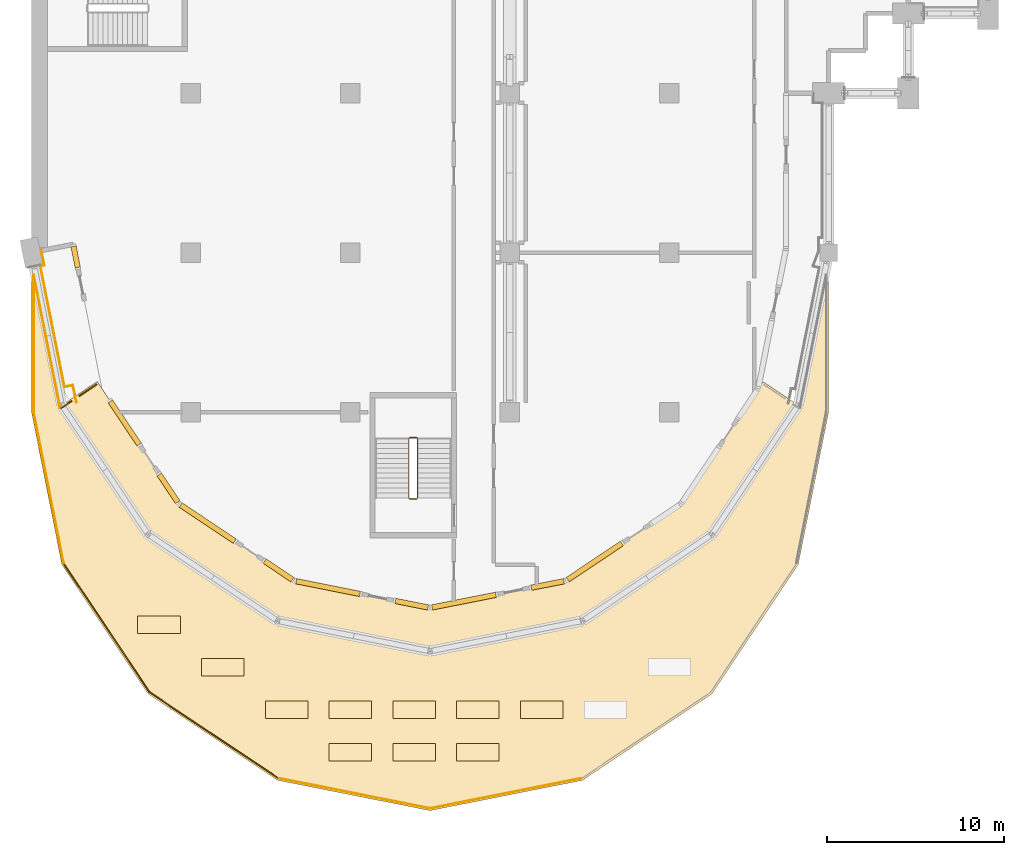
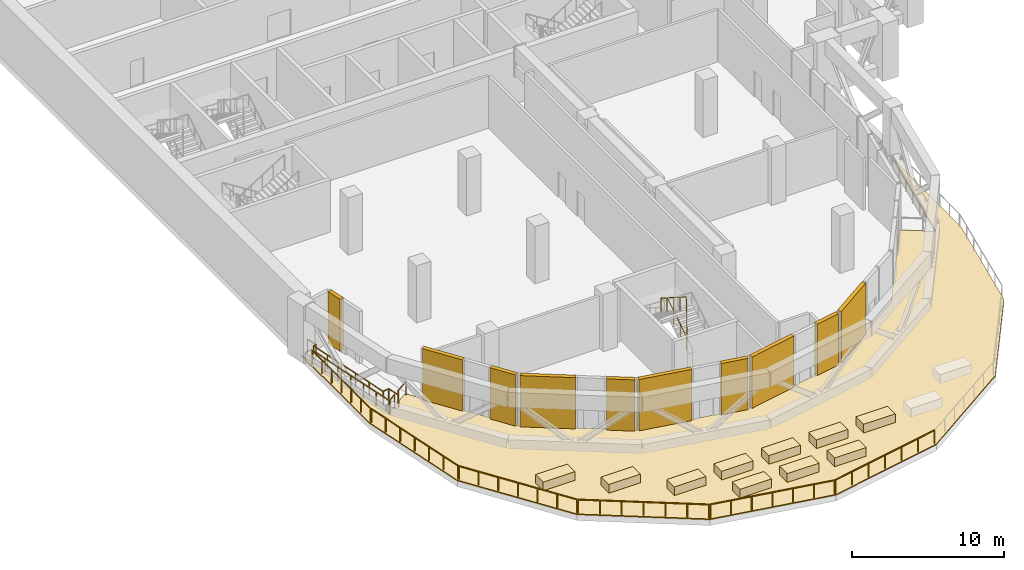
# One storey, part 13 of 16: 11 coverings, 11 railings, 10 shading devices.
"""IFC4 building model written with IfcOpenShell, lengths in metres."""

from ifc_helpers import new_model, si_unit, direction, frame, origin, origin_2d, place, context, subcontext, project, spatial, polyline, rectangle, circle, outline, extrude, material, layer, layer_set, type_object, element, save


model = new_model("IFC4")

# Units and contexts
model_context = context("Model", 3, precision=1e-05, world=origin(), true_north=direction((0.0, 1.0)))
body_context = subcontext(model_context, "Body", "Model", "MODEL_VIEW")
ifc_project = project(units=[si_unit("LENGTHUNIT", "METRE"), si_unit("AREAUNIT", "SQUARE_METRE"), si_unit("VOLUMEUNIT", "CUBIC_METRE"), si_unit("PLANEANGLEUNIT", "RADIAN"), si_unit("MASSUNIT", "GRAM", prefix="KILO")], contexts=[model_context])

# Site, building, storey
site_placement = place(None, origin())
site = spatial("IfcSite", under=ifc_project, at=site_placement, CompositionType="ELEMENT")
building_placement = place(site_placement, origin())
building = spatial("IfcBuilding", under=site, at=building_placement, Name="Hunhe Ridgeline Campus", CompositionType="ELEMENT")
storey_placement = place(building_placement, frame((0.0, 0.0, 227.199951171875)))
storey = spatial("IfcBuildingStorey", under=building, at=storey_placement, Name="L58", CompositionType="ELEMENT", Elevation=227.199951171875)

# Railings
ifc_material_1 = material(Name="Steel Q355", Category="steel")
railing_type_1 = type_object("IfcRailingType", Name="Loggia guard 1100 Steel Q355", PredefinedType="GUARDRAIL", material=ifc_material_1)
railing_1_placement = place(storey_placement, frame((0.55908203125, 45.111083984375, 0.0)))
element("IfcRailing", 1, at=railing_1_placement, inside=storey, type_object=railing_type_1, Name="Loggia guard 1", PredefinedType="GUARDRAIL", context=body_context, shape_type="SweptSolid", body=[
    extrude(circle(Radius=0.02392578125, at=origin_2d()), frame((0.0, 0.0, 1.076171875), z_axis=(0.195066328581, -0.980790052689, 0.0), x_axis=(0.980790052689, 0.195066328581, 0.0)), (0.0, 0.0, 1.0), 0.849853515625),
    extrude(circle(Radius=0.02392578125, at=origin_2d()), frame((0.165771484375, -0.83349609375, 1.076171875), z_axis=(-0.980750988442, -0.195262640233, 0.0), x_axis=(0.195262640233, -0.980750988442, 0.0)), (0.0, 0.0, 1.0), 0.219970703125),
    extrude(circle(Radius=0.02392578125, at=origin_2d()), frame((-0.050048828125, -0.87646484375, 1.076171875), z_axis=(0.1951025318, -0.980782851647, 0.0), x_axis=(0.980782851647, 0.1951025318, 0.0)), (0.0, 0.0, 1.0), 6.94873046875),
    extrude(circle(Radius=0.02392578125, at=origin_2d()), frame((1.3056640625, -7.691650390625, 1.076171875), z_axis=(0.980791706313, 0.195058014004, 0.0), x_axis=(-0.195058014004, 0.980791706313, 0.0)), (0.0, 0.0, 1.0), 0.488037109375),
    extrude(circle(Radius=0.02392578125, at=origin_2d()), frame((1.784423828125, -7.596435546875, 1.076171875), z_axis=(0.195014397483, -0.980800379677, 0.0), x_axis=(0.980800379677, 0.195014397483, 0.0)), (0.0, 0.0, 1.0), 0.980224609375),
    extrude(circle(Radius=0.02099609375, at=origin_2d()), origin(), (0.0, 0.0, 1.0), 1.052001953125),
    extrude(circle(Radius=0.02099609375, at=origin_2d()), frame((0.165771484375, -0.83349609375, 0.0)), (0.0, 0.0, 1.0), 1.052001953125),
    extrude(circle(Radius=0.02099609375, at=origin_2d()), frame((-0.050048828125, -0.87646484375, 0.0)), (0.0, 0.0, 1.0), 1.052001953125),
    extrude(circle(Radius=0.02099609375, at=origin_2d()), frame((0.22119140625, -2.239501953125, 0.0)), (0.0, 0.0, 1.0), 1.052001953125),
    extrude(circle(Radius=0.02099609375, at=origin_2d()), frame((0.4921875, -3.6025390625, 0.0)), (0.0, 0.0, 1.0), 1.052001953125),
    extrude(circle(Radius=0.02099609375, at=origin_2d()), frame((0.763427734375, -4.965576171875, 0.0)), (0.0, 0.0, 1.0), 1.052001953125),
    extrude(circle(Radius=0.02099609375, at=origin_2d()), frame((1.034423828125, -6.32861328125, 0.0)), (0.0, 0.0, 1.0), 1.052001953125),
    extrude(circle(Radius=0.02099609375, at=origin_2d()), frame((1.3056640625, -7.691650390625, 0.0)), (0.0, 0.0, 1.0), 1.052001953125),
    extrude(circle(Radius=0.02099609375, at=origin_2d()), frame((1.784423828125, -7.596435546875, 0.0)), (0.0, 0.0, 1.0), 1.052001953125),
    extrude(circle(Radius=0.02099609375, at=origin_2d()), frame((1.9755859375, -8.557861328125, 0.0)), (0.0, 0.0, 1.0), 1.052001953125),
])
railing_2_placement = place(storey_placement, frame((31.0244140625, 15.31787109375, 0.080078125)))
element("IfcRailing", 2, at=railing_2_placement, inside=storey, type_object=railing_type_1, Name="Terrace guard 7", PredefinedType="GUARDRAIL", context=body_context, shape_type="SweptSolid", body=[
    extrude(circle(Radius=0.02392578125, at=origin_2d()), frame((0.0, 0.0, 1.076171875), z_axis=(-0.980786356694, -0.195084911058, 0.0), x_axis=(0.195084911058, -0.980786356694, 0.0)), (0.0, 0.0, 1.0), 8.6513671875),
    extrude(circle(Radius=0.02099609375, at=origin_2d()), origin(), (0.0, 0.0, 1.0), 1.052001953125),
    extrude(circle(Radius=0.02099609375, at=origin_2d()), frame((-1.4140625, -0.28125, 0.0)), (0.0, 0.0, 1.0), 1.052001953125),
    extrude(circle(Radius=0.02099609375, at=origin_2d()), frame((-2.828369140625, -0.5625, 0.0)), (0.0, 0.0, 1.0), 1.052001953125),
    extrude(circle(Radius=0.02099609375, at=origin_2d()), frame((-4.24267578125, -0.84375, 0.0)), (0.0, 0.0, 1.0), 1.052001953125),
    extrude(circle(Radius=0.02099609375, at=origin_2d()), frame((-5.65673828125, -1.125244140625, 0.0)), (0.0, 0.0, 1.0), 1.052001953125),
    extrude(circle(Radius=0.02099609375, at=origin_2d()), frame((-7.07080078125, -1.406494140625, 0.0)), (0.0, 0.0, 1.0), 1.052001953125),
    extrude(circle(Radius=0.02099609375, at=origin_2d()), frame((-8.485107421875, -1.687744140625, 0.0)), (0.0, 0.0, 1.0), 1.052001953125),
])
railing_3_placement = place(storey_placement, frame((22.460693359375, 13.630126953125, 0.080078125)))
element("IfcRailing", 3, at=railing_3_placement, inside=storey, type_object=railing_type_1, Name="Terrace guard 8", PredefinedType="GUARDRAIL", context=body_context, shape_type="SweptSolid", body=[
    extrude(circle(Radius=0.02392578125, at=origin_2d()), frame((0.0, 0.0, 1.076171875), z_axis=(-0.980786356694, 0.195084911058, 0.0), x_axis=(-0.195084911058, -0.980786356694, 0.0)), (0.0, 0.0, 1.0), 8.6513671875),
    extrude(circle(Radius=0.02099609375, at=origin_2d()), origin(), (0.0, 0.0, 1.0), 1.052001953125),
    extrude(circle(Radius=0.02099609375, at=origin_2d()), frame((-1.4140625, 0.28125, 0.0)), (0.0, 0.0, 1.0), 1.052001953125),
    extrude(circle(Radius=0.02099609375, at=origin_2d()), frame((-2.828369140625, 0.5625, 0.0)), (0.0, 0.0, 1.0), 1.052001953125),
    extrude(circle(Radius=0.02099609375, at=origin_2d()), frame((-4.24267578125, 0.84375, 0.0)), (0.0, 0.0, 1.0), 1.052001953125),
    extrude(circle(Radius=0.02099609375, at=origin_2d()), frame((-5.65673828125, 1.125244140625, 0.0)), (0.0, 0.0, 1.0), 1.052001953125),
    extrude(circle(Radius=0.02099609375, at=origin_2d()), frame((-7.07080078125, 1.406494140625, 0.0)), (0.0, 0.0, 1.0), 1.052001953125),
    extrude(circle(Radius=0.02099609375, at=origin_2d()), frame((-8.485107421875, 1.687744140625, 0.0)), (0.0, 0.0, 1.0), 1.052001953125),
])
railing_4_placement = place(storey_placement, frame((13.903076171875, 15.347900390625, 0.080078125)))
element("IfcRailing", 4, at=railing_4_placement, inside=storey, type_object=railing_type_1, Name="Terrace guard 9", PredefinedType="GUARDRAIL", context=body_context, shape_type="SweptSolid", body=[
    extrude(circle(Radius=0.02392578125, at=origin_2d()), frame((0.0, 0.0, 1.076171875), z_axis=(-0.831463709573, 0.555579066977, 0.0), x_axis=(-0.555579066977, -0.831463709573, 0.0)), (0.0, 0.0, 1.0), 8.651123046875),
    extrude(circle(Radius=0.02099609375, at=origin_2d()), origin(), (0.0, 0.0, 1.0), 1.052001953125),
    extrude(circle(Radius=0.02099609375, at=origin_2d()), frame((-1.19873046875, 0.801025390625, 0.0)), (0.0, 0.0, 1.0), 1.052001953125),
    extrude(circle(Radius=0.02099609375, at=origin_2d()), frame((-2.397705078125, 1.60205078125, 0.0)), (0.0, 0.0, 1.0), 1.052001953125),
    extrude(circle(Radius=0.02099609375, at=origin_2d()), frame((-3.5966796875, 2.4033203125, 0.0)), (0.0, 0.0, 1.0), 1.052001953125),
    extrude(circle(Radius=0.02099609375, at=origin_2d()), frame((-4.79541015625, 3.204345703125, 0.0)), (0.0, 0.0, 1.0), 1.052001953125),
    extrude(circle(Radius=0.02099609375, at=origin_2d()), frame((-5.994140625, 4.00537109375, 0.0)), (0.0, 0.0, 1.0), 1.052001953125),
    extrude(circle(Radius=0.02099609375, at=origin_2d()), frame((-7.193115234375, 4.806396484375, 0.0)), (0.0, 0.0, 1.0), 1.052001953125),
])
railing_5_placement = place(storey_placement, frame((6.654296875, 20.2099609375, 0.080078125)))
element("IfcRailing", 5, at=railing_5_placement, inside=storey, type_object=railing_type_1, Name="Terrace guard 10", PredefinedType="GUARDRAIL", context=body_context, shape_type="SweptSolid", body=[
    extrude(circle(Radius=0.02392578125, at=origin_2d()), frame((0.0, 0.0, 1.076171875), z_axis=(-0.555579066977, 0.831463709573, 0.0), x_axis=(-0.831463709573, -0.555579066977, 0.0)), (0.0, 0.0, 1.0), 8.651123046875),
    extrude(circle(Radius=0.02099609375, at=origin_2d()), origin(), (0.0, 0.0, 1.0), 1.052001953125),
    extrude(circle(Radius=0.02099609375, at=origin_2d()), frame((-0.801025390625, 1.19873046875, 0.0)), (0.0, 0.0, 1.0), 1.052001953125),
    extrude(circle(Radius=0.02099609375, at=origin_2d()), frame((-1.60205078125, 2.397705078125, 0.0)), (0.0, 0.0, 1.0), 1.052001953125),
    extrude(circle(Radius=0.02099609375, at=origin_2d()), frame((-2.4033203125, 3.5966796875, 0.0)), (0.0, 0.0, 1.0), 1.052001953125),
    extrude(circle(Radius=0.02099609375, at=origin_2d()), frame((-3.204345703125, 4.79541015625, 0.0)), (0.0, 0.0, 1.0), 1.052001953125),
    extrude(circle(Radius=0.02099609375, at=origin_2d()), frame((-4.00537109375, 5.994140625, 0.0)), (0.0, 0.0, 1.0), 1.052001953125),
    extrude(circle(Radius=0.02099609375, at=origin_2d()), frame((-4.806396484375, 7.193115234375, 0.0)), (0.0, 0.0, 1.0), 1.052001953125),
])
railing_6_placement = place(storey_placement, frame((1.81787109375, 27.4755859375, 0.080078125)))
element("IfcRailing", 6, at=railing_6_placement, inside=storey, type_object=railing_type_1, Name="Terrace guard 11", PredefinedType="GUARDRAIL", context=body_context, shape_type="SweptSolid", body=[
    extrude(circle(Radius=0.02392578125, at=origin_2d()), frame((0.0, 0.0, 1.076171875), z_axis=(-0.195091784902, 0.980784989416, 0.0), x_axis=(-0.980784989416, -0.195091784902, 0.0)), (0.0, 0.0, 1.0), 8.66357421875),
    extrude(circle(Radius=0.02099609375, at=origin_2d()), origin(), (0.0, 0.0, 1.0), 1.052001953125),
    extrude(circle(Radius=0.02099609375, at=origin_2d()), frame((-0.28173828125, 1.416259765625, 0.0)), (0.0, 0.0, 1.0), 1.052001953125),
    extrude(circle(Radius=0.02099609375, at=origin_2d()), frame((-0.5634765625, 2.832275390625, 0.0)), (0.0, 0.0, 1.0), 1.052001953125),
    extrude(circle(Radius=0.02099609375, at=origin_2d()), frame((-0.84521484375, 4.24853515625, 0.0)), (0.0, 0.0, 1.0), 1.052001953125),
    extrude(circle(Radius=0.02099609375, at=origin_2d()), frame((-1.126708984375, 5.664794921875, 0.0)), (0.0, 0.0, 1.0), 1.052001953125),
    extrude(circle(Radius=0.02099609375, at=origin_2d()), frame((-1.408447265625, 7.080810546875, 0.0)), (0.0, 0.0, 1.0), 1.052001953125),
    extrude(circle(Radius=0.02099609375, at=origin_2d()), frame((-1.690185546875, 8.4970703125, 0.0)), (0.0, 0.0, 1.0), 1.052001953125),
])
railing_7_placement = place(storey_placement, frame((0.1201171875, 36.0517578125, 0.080078125)))
element("IfcRailing", 7, at=railing_7_placement, inside=storey, type_object=railing_type_1, Name="Terrace guard 12", PredefinedType="GUARDRAIL", context=body_context, shape_type="SweptSolid", body=[
    extrude(circle(Radius=0.02392578125, at=origin_2d()), frame((0.0, 0.0, 1.076171875), z_axis=(0.0, 1.0, 0.0), x_axis=(-1.0, 0.0, 0.0)), (0.0, 0.0, 1.0), 7.68994140625),
    extrude(circle(Radius=0.02099609375, at=origin_2d()), origin(), (0.0, 0.0, 1.0), 1.052001953125),
    extrude(circle(Radius=0.02099609375, at=origin_2d()), frame((0.0, 1.28173828125, 0.0)), (0.0, 0.0, 1.0), 1.052001953125),
    extrude(circle(Radius=0.02099609375, at=origin_2d()), frame((0.0, 2.563232421875, 0.0)), (0.0, 0.0, 1.0), 1.052001953125),
    extrude(circle(Radius=0.02099609375, at=origin_2d()), frame((0.0, 3.844970703125, 0.0)), (0.0, 0.0, 1.0), 1.052001953125),
    extrude(circle(Radius=0.02099609375, at=origin_2d()), frame((0.0, 5.126708984375, 0.0)), (0.0, 0.0, 1.0), 1.052001953125),
    extrude(circle(Radius=0.02099609375, at=origin_2d()), frame((0.0, 6.408203125, 0.0)), (0.0, 0.0, 1.0), 1.052001953125),
    extrude(circle(Radius=0.02099609375, at=origin_2d()), frame((0.0, 7.68994140625, 0.0)), (0.0, 0.0, 1.0), 1.052001953125),
])
railing_8_placement = place(storey_placement, frame((0.127685546875, 43.74267578125, 0.080078125)))
element("IfcRailing", 8, at=railing_8_placement, inside=storey, type_object=railing_type_1, Name="Terrace guard 13", PredefinedType="GUARDRAIL", context=body_context, shape_type="SweptSolid", body=[
    extrude(circle(Radius=0.02392578125, at=origin_2d()), frame((0.0, 0.0, 1.076171875), z_axis=(0.195129185157, -0.980777549243, 0.0), x_axis=(0.980777549243, 0.195129185157, 0.0)), (0.0, 0.0, 1.0), 7.65966796875),
    extrude(circle(Radius=0.02099609375, at=origin_2d()), origin(), (0.0, 0.0, 1.0), 1.052001953125),
    extrude(circle(Radius=0.02099609375, at=origin_2d()), frame((0.2490234375, -1.251953125, 0.0)), (0.0, 0.0, 1.0), 1.052001953125),
    extrude(circle(Radius=0.02099609375, at=origin_2d()), frame((0.498291015625, -2.504150390625, 0.0)), (0.0, 0.0, 1.0), 1.052001953125),
    extrude(circle(Radius=0.02099609375, at=origin_2d()), frame((0.747314453125, -3.75634765625, 0.0)), (0.0, 0.0, 1.0), 1.052001953125),
    extrude(circle(Radius=0.02099609375, at=origin_2d()), frame((0.996337890625, -5.00830078125, 0.0)), (0.0, 0.0, 1.0), 1.052001953125),
    extrude(circle(Radius=0.02099609375, at=origin_2d()), frame((1.24560546875, -6.26025390625, 0.0)), (0.0, 0.0, 1.0), 1.052001953125),
    extrude(circle(Radius=0.02099609375, at=origin_2d()), frame((1.49462890625, -7.512451171875, 0.0)), (0.0, 0.0, 1.0), 1.052001953125),
])
railing_9_placement = place(storey_placement, frame((1.663330078125, 36.213134765625, 0.080078125)))
element("IfcRailing", 9, at=railing_9_placement, inside=storey, type_object=railing_type_1, Name="Terrace guard 14", PredefinedType="GUARDRAIL", context=body_context, shape_type="SweptSolid", body=[
    extrude(circle(Radius=0.02392578125, at=origin_2d()), frame((0.0, 0.0, 1.076171875), z_axis=(0.831532633301, 0.555475903847, 0.0), x_axis=(-0.555475903847, 0.831532633301, 0.0)), (0.0, 0.0, 1.0), 0.72607421875),
    extrude(circle(Radius=0.02099609375, at=origin_2d()), origin(), (0.0, 0.0, 1.0), 1.052001953125),
    extrude(circle(Radius=0.02099609375, at=origin_2d()), frame((0.603759765625, 0.4033203125, 0.0)), (0.0, 0.0, 1.0), 1.052001953125),
])
railing_10_placement = place(storey_placement, frame((2.71728515625, 36.9169921875, 0.080078125)))
element("IfcRailing", 10, at=railing_10_placement, inside=storey, type_object=railing_type_1, Name="Terrace guard 15", PredefinedType="GUARDRAIL", context=body_context, shape_type="SweptSolid", body=[
    extrude(circle(Radius=0.02392578125, at=origin_2d()), frame((0.0, 0.0, 1.076171875), z_axis=(0.831560183095, 0.555434660326, 0.0), x_axis=(-0.555434660326, 0.831560183095, 0.0)), (0.0, 0.0, 1.0), 1.150390625),
    extrude(circle(Radius=0.02099609375, at=origin_2d()), origin(), (0.0, 0.0, 1.0), 1.052001953125),
    extrude(circle(Radius=0.02099609375, at=origin_2d()), frame((0.95654296875, 0.638916015625, 0.0)), (0.0, 0.0, 1.0), 1.052001953125),
])

# Shading devices
ifc_material_2 = material(Name="Aluminium 6063", Category="aluminium")
ifc_layer_1 = layer(ifc_material_2, 0.300048828125)
ifc_layer_set_1 = layer_set([ifc_layer_1], Name="Louvre bank 300 Aluminium 6063")
shading_device_type = type_object("IfcShadingDeviceType", Name="Louvre bank 300 Aluminium 6063", PredefinedType="USERDEFINED", material=ifc_layer_set_1)
shading_device_1_placement = place(storey_placement, frame((2.496337890625, 44.757080078125, 0.0), z_axis=(0.0, 0.0, 1.0), x_axis=(0.195095695315, -0.980784211572, 0.0)))
element("IfcShadingDevice", 11, at=shading_device_1_placement, inside=storey, type_object=shading_device_type, Name="Louvre bank 1", ObjectType="LOUVRE", PredefinedType="USERDEFINED", context=body_context, shape_type="SweptSolid", body=[
    extrude(rectangle(XDim=1.2109375, YDim=0.300048828125, at=origin_2d()), origin(), (0.0, 0.0, 1.0), 4.199951171875),
])
shading_device_2_placement = place(storey_placement, frame((5.270263671875, 35.386962890625, 0.0), z_axis=(0.0, 0.0, 1.0), x_axis=(0.555570357836, -0.831469528903, 0.0)))
element("IfcShadingDevice", 12, at=shading_device_2_placement, inside=storey, type_object=shading_device_type, Name="Louvre bank 2", ObjectType="LOUVRE", PredefinedType="USERDEFINED", context=body_context, shape_type="SweptSolid", body=[
    extrude(rectangle(XDim=2.91845703125, YDim=0.300048828125, at=origin_2d()), origin(), (0.0, 0.0, 1.0), 4.199951171875),
])
shading_device_3_placement = place(storey_placement, frame((7.734375, 31.69921875, 0.0), z_axis=(0.0, 0.0, 1.0), x_axis=(0.555570217564, -0.831469622629, 0.0)))
element("IfcShadingDevice", 13, at=shading_device_3_placement, inside=storey, type_object=shading_device_type, Name="Louvre bank 3", ObjectType="LOUVRE", PredefinedType="USERDEFINED", context=body_context, shape_type="SweptSolid", body=[
    extrude(rectangle(XDim=1.871826171875, YDim=0.300048828125, at=origin_2d()), origin(), (0.0, 0.0, 1.0), 4.199951171875),
])
shading_device_4_placement = place(storey_placement, frame((9.947509765625, 29.734375, 0.0), z_axis=(0.0, 0.0, 1.0), x_axis=(0.83146952548, -0.555570362959, 0.0)))
element("IfcShadingDevice", 14, at=shading_device_4_placement, inside=storey, type_object=shading_device_type, Name="Louvre bank 4", ObjectType="LOUVRE", PredefinedType="USERDEFINED", context=body_context, shape_type="SweptSolid", body=[
    extrude(rectangle(XDim=3.671875, YDim=0.300048828125, at=origin_2d()), origin(), (0.0, 0.0, 1.0), 4.199951171875),
])
shading_device_5_placement = place(storey_placement, frame((13.948486328125, 27.06103515625, 0.0), z_axis=(0.0, 0.0, 1.0), x_axis=(0.831469622629, -0.555570217564, 0.0)))
element("IfcShadingDevice", 15, at=shading_device_5_placement, inside=storey, type_object=shading_device_type, Name="Louvre bank 5", ObjectType="LOUVRE", PredefinedType="USERDEFINED", context=body_context, shape_type="SweptSolid", body=[
    extrude(rectangle(XDim=1.871826171875, YDim=0.300048828125, at=origin_2d()), origin(), (0.0, 0.0, 1.0), 4.199951171875),
])
shading_device_6_placement = place(storey_placement, frame((16.744873046875, 26.0927734375, 0.0), z_axis=(0.0, 0.0, 1.0), x_axis=(0.980785250869, -0.195090470497, 0.0)))
element("IfcShadingDevice", 16, at=shading_device_6_placement, inside=storey, type_object=shading_device_type, Name="Louvre bank 6", ObjectType="LOUVRE", PredefinedType="USERDEFINED", context=body_context, shape_type="SweptSolid", body=[
    extrude(rectangle(XDim=3.671875, YDim=0.300048828125, at=origin_2d()), origin(), (0.0, 0.0, 1.0), 4.199951171875),
])
shading_device_7_placement = place(storey_placement, frame((21.46435546875, 25.154052734375, 0.0), z_axis=(0.0, 0.0, 1.0), x_axis=(0.980785272878, -0.195090359847, 0.0)))
element("IfcShadingDevice", 17, at=shading_device_7_placement, inside=storey, type_object=shading_device_type, Name="Louvre bank 7", ObjectType="LOUVRE", PredefinedType="USERDEFINED", context=body_context, shape_type="SweptSolid", body=[
    extrude(rectangle(XDim=1.871826171875, YDim=0.300048828125, at=origin_2d()), origin(), (0.0, 0.0, 1.0), 4.199951171875),
])
shading_device_8_placement = place(storey_placement, frame((24.41845703125, 25.32958984375, 0.0), z_axis=(0.0, 0.0, 1.0), x_axis=(0.980785299781, 0.195090224598, 0.0)))
element("IfcShadingDevice", 18, at=shading_device_8_placement, inside=storey, type_object=shading_device_type, Name="Louvre bank 8", ObjectType="LOUVRE", PredefinedType="USERDEFINED", context=body_context, shape_type="SweptSolid", body=[
    extrude(rectangle(XDim=3.671875, YDim=0.300048828125, at=origin_2d()), origin(), (0.0, 0.0, 1.0), 4.199951171875),
])
shading_device_9_placement = place(storey_placement, frame((29.137939453125, 26.268310546875, 0.0), z_axis=(0.0, 0.0, 1.0), x_axis=(0.980785272878, 0.195090359847, 0.0)))
element("IfcShadingDevice", 19, at=shading_device_9_placement, inside=storey, type_object=shading_device_type, Name="Louvre bank 9", ObjectType="LOUVRE", PredefinedType="USERDEFINED", context=body_context, shape_type="SweptSolid", body=[
    extrude(rectangle(XDim=1.871826171875, YDim=0.300048828125, at=origin_2d()), origin(), (0.0, 0.0, 1.0), 4.199951171875),
])
shading_device_10_placement = place(storey_placement, frame((31.7998046875, 27.56103515625, 0.0), z_axis=(0.0, 0.0, 1.0), x_axis=(0.831469643564, 0.555570186233, 0.0)))
element("IfcShadingDevice", 20, at=shading_device_10_placement, inside=storey, type_object=shading_device_type, Name="Louvre bank 10", ObjectType="LOUVRE", PredefinedType="USERDEFINED", context=body_context, shape_type="SweptSolid", body=[
    extrude(rectangle(XDim=3.671875, YDim=0.300048828125, at=origin_2d()), origin(), (0.0, 0.0, 1.0), 4.199951171875),
])

# Coverings
ifc_material_3 = material(Name="Planting soil")
covering_type_1 = type_object("IfcCoveringType", Name="Planter box 700 planting soil", PredefinedType="USERDEFINED", material=ifc_material_3)
covering_1_placement = place(storey_placement, frame((0.0, 0.0, 0.080078125)))
element("IfcCovering", 21, at=covering_1_placement, inside=storey, type_object=covering_type_1, Name="Planter 1", ObjectType="PLANTER", PredefinedType="USERDEFINED", context=body_context, shape_type="SweptSolid", body=[
    extrude(outline(polyline([(6.0, 23.5), (8.39990234375, 23.5), (8.39990234375, 24.5), (6.0, 24.5), (6.0, 23.5)])), origin(), (0.0, 0.0, 1.0), 0.699951171875),
])
covering_2_placement = place(storey_placement, frame((0.0, 0.0, 0.080078125)))
element("IfcCovering", 22, at=covering_2_placement, inside=storey, type_object=covering_type_1, Name="Planter 2", ObjectType="PLANTER", PredefinedType="USERDEFINED", context=body_context, shape_type="SweptSolid", body=[
    extrude(outline(polyline([(9.60009765625, 21.10009765625), (12.0, 21.10009765625), (12.0, 22.10009765625), (9.60009765625, 22.10009765625), (9.60009765625, 21.10009765625)])), origin(), (0.0, 0.0, 1.0), 0.699951171875),
])
covering_3_placement = place(storey_placement, frame((0.0, 0.0, 0.080078125)))
element("IfcCovering", 23, at=covering_3_placement, inside=storey, type_object=covering_type_1, Name="Planter 3", ObjectType="PLANTER", PredefinedType="USERDEFINED", context=body_context, shape_type="SweptSolid", body=[
    extrude(outline(polyline([(13.199951171875, 18.699951171875), (15.60009765625, 18.699951171875), (15.60009765625, 19.699951171875), (13.199951171875, 19.699951171875), (13.199951171875, 18.699951171875)])), origin(), (0.0, 0.0, 1.0), 0.699951171875),
])
covering_4_placement = place(storey_placement, frame((0.0, 0.0, 0.080078125)))
element("IfcCovering", 24, at=covering_4_placement, inside=storey, type_object=covering_type_1, Name="Planter 4", ObjectType="PLANTER", PredefinedType="USERDEFINED", context=body_context, shape_type="SweptSolid", body=[
    extrude(outline(polyline([(16.800048828125, 16.300048828125), (19.199951171875, 16.300048828125), (19.199951171875, 17.300048828125), (16.800048828125, 17.300048828125), (16.800048828125, 16.300048828125)])), origin(), (0.0, 0.0, 1.0), 0.699951171875),
])
covering_5_placement = place(storey_placement, frame((0.0, 0.0, 0.080078125)))
element("IfcCovering", 25, at=covering_5_placement, inside=storey, type_object=covering_type_1, Name="Planter 5", ObjectType="PLANTER", PredefinedType="USERDEFINED", context=body_context, shape_type="SweptSolid", body=[
    extrude(outline(polyline([(16.800048828125, 18.699951171875), (19.199951171875, 18.699951171875), (19.199951171875, 19.699951171875), (16.800048828125, 19.699951171875), (16.800048828125, 18.699951171875)])), origin(), (0.0, 0.0, 1.0), 0.699951171875),
])
covering_6_placement = place(storey_placement, frame((0.0, 0.0, 0.080078125)))
element("IfcCovering", 26, at=covering_6_placement, inside=storey, type_object=covering_type_1, Name="Planter 6", ObjectType="PLANTER", PredefinedType="USERDEFINED", context=body_context, shape_type="SweptSolid", body=[
    extrude(outline(polyline([(20.39990234375, 16.300048828125), (22.800048828125, 16.300048828125), (22.800048828125, 17.300048828125), (20.39990234375, 17.300048828125), (20.39990234375, 16.300048828125)])), origin(), (0.0, 0.0, 1.0), 0.699951171875),
])
covering_7_placement = place(storey_placement, frame((0.0, 0.0, 0.080078125)))
element("IfcCovering", 27, at=covering_7_placement, inside=storey, type_object=covering_type_1, Name="Planter 7", ObjectType="PLANTER", PredefinedType="USERDEFINED", context=body_context, shape_type="SweptSolid", body=[
    extrude(outline(polyline([(20.39990234375, 18.699951171875), (22.800048828125, 18.699951171875), (22.800048828125, 19.699951171875), (20.39990234375, 19.699951171875), (20.39990234375, 18.699951171875)])), origin(), (0.0, 0.0, 1.0), 0.699951171875),
])
covering_8_placement = place(storey_placement, frame((0.0, 0.0, 0.080078125)))
element("IfcCovering", 28, at=covering_8_placement, inside=storey, type_object=covering_type_1, Name="Planter 8", ObjectType="PLANTER", PredefinedType="USERDEFINED", context=body_context, shape_type="SweptSolid", body=[
    extrude(outline(polyline([(24.0, 16.300048828125), (26.39990234375, 16.300048828125), (26.39990234375, 17.300048828125), (24.0, 17.300048828125), (24.0, 16.300048828125)])), origin(), (0.0, 0.0, 1.0), 0.699951171875),
])
covering_9_placement = place(storey_placement, frame((0.0, 0.0, 0.080078125)))
element("IfcCovering", 29, at=covering_9_placement, inside=storey, type_object=covering_type_1, Name="Planter 9", ObjectType="PLANTER", PredefinedType="USERDEFINED", context=body_context, shape_type="SweptSolid", body=[
    extrude(outline(polyline([(24.0, 18.699951171875), (26.39990234375, 18.699951171875), (26.39990234375, 19.699951171875), (24.0, 19.699951171875), (24.0, 18.699951171875)])), origin(), (0.0, 0.0, 1.0), 0.699951171875),
])
covering_10_placement = place(storey_placement, frame((0.0, 0.0, 0.080078125)))
element("IfcCovering", 30, at=covering_10_placement, inside=storey, type_object=covering_type_1, Name="Planter 10", ObjectType="PLANTER", PredefinedType="USERDEFINED", context=body_context, shape_type="SweptSolid", body=[
    extrude(outline(polyline([(27.60009765625, 18.699951171875), (30.0, 18.699951171875), (30.0, 19.699951171875), (27.60009765625, 19.699951171875), (27.60009765625, 18.699951171875)])), origin(), (0.0, 0.0, 1.0), 0.699951171875),
])

# Railing
ifc_material_4 = material(Name="Stainless steel balustrade", Category="steel")
railing_type_2 = type_object("IfcRailingType", Name="Stair guard 1100 stainless", PredefinedType="GUARDRAIL", material=ifc_material_4)
railing_11_placement = place(storey_placement, frame((21.800048828125, 31.14990234375, 0.177001953125)))
element("IfcRailing", 31, at=railing_11_placement, inside=storey, type_object=railing_type_2, Name="L58 stair W3 guard", PredefinedType="GUARDRAIL", context=body_context, shape_type="SweptSolid", body=[
    extrude(circle(Radius=0.02392578125, at=origin_2d()), frame((0.0, 0.0, 1.076171875), z_axis=(0.0, 0.845389635667, 0.534150132366), x_axis=(-1.0, 0.0, 0.0)), (0.0, 0.0, 1.0), 3.974609375),
    extrude(circle(Radius=0.02392578125, at=origin_2d()), frame((0.0, 3.360107421875, 3.19921875), z_axis=(-0.707106781187, 0.707106781187, 0.0), x_axis=(-0.707106781187, -0.707106781187, 0.0)), (0.0, 0.0, 1.0), 0.07080078125),
    extrude(circle(Radius=0.02392578125, at=origin_2d()), frame((-0.050048828125, 3.41015625, 3.19921875), z_axis=(-1.0, 0.0, 0.0), x_axis=(0.0, -1.0, 0.0)), (0.0, 0.0, 1.0), 0.39990234375),
    extrude(circle(Radius=0.02392578125, at=origin_2d()), frame((-0.449951171875, 3.41015625, 3.19921875), z_axis=(-0.262545553595, -0.262545553595, 0.928514762713), x_axis=(0.707106781187, -0.707106781187, 0.0)), (0.0, 0.0, 1.0), 0.190673828125),
    extrude(circle(Radius=0.02392578125, at=origin_2d()), frame((-0.5, 3.360107421875, 3.3759765625), z_axis=(0.0, -0.845389635667, 0.534150132366), x_axis=(1.0, 0.0, 0.0)), (0.0, 0.0, 1.0), 3.974609375),
    extrude(circle(Radius=0.02392578125, at=origin_2d()), frame((-0.5, 0.0, 5.4990234375), z_axis=(0.010878667648, -0.010825600977, -0.999882223541), x_axis=(0.705375805398, 0.708833529934, 0.0)), (0.0, 0.0, 1.0), 4.6005859375),
    extrude(circle(Radius=0.02392578125, at=origin_2d()), frame((-0.449951171875, -0.0498046875, 0.89892578125), z_axis=(1.0, 0.0, 0.0), x_axis=(0.0, 1.0, 0.0)), (0.0, 0.0, 1.0), 0.39990234375),
    extrude(circle(Radius=0.02099609375, at=origin_2d()), origin(), (0.0, 0.0, 1.0), 1.052001953125),
    extrude(circle(Radius=0.02099609375, at=origin_2d()), frame((0.0, 0.840087890625, 0.53076171875)), (0.0, 0.0, 1.0), 1.052001953125),
    extrude(circle(Radius=0.02099609375, at=origin_2d()), frame((0.0, 1.68017578125, 1.0615234375)), (0.0, 0.0, 1.0), 1.052001953125),
    extrude(circle(Radius=0.02099609375, at=origin_2d()), frame((0.0, 2.52001953125, 1.59228515625)), (0.0, 0.0, 1.0), 1.052001953125),
    extrude(circle(Radius=0.02099609375, at=origin_2d()), frame((0.0, 3.360107421875, 2.123046875)), (0.0, 0.0, 1.0), 1.052001953125),
    extrude(circle(Radius=0.02099609375, at=origin_2d()), frame((-0.050048828125, 3.41015625, 2.123046875)), (0.0, 0.0, 1.0), 1.052001953125),
    extrude(circle(Radius=0.02099609375, at=origin_2d()), frame((-0.449951171875, 3.41015625, 2.123046875)), (0.0, 0.0, 1.0), 1.052001953125),
    extrude(circle(Radius=0.02099609375, at=origin_2d()), frame((-0.5, 3.360107421875, 2.300048828125)), (0.0, 0.0, 1.0), 1.052001953125),
    extrude(circle(Radius=0.02099609375, at=origin_2d()), frame((-0.5, 2.52001953125, 2.830810546875)), (0.0, 0.0, 1.0), 1.052001953125),
    extrude(circle(Radius=0.02099609375, at=origin_2d()), frame((-0.5, 1.68017578125, 3.361572265625)), (0.0, 0.0, 1.0), 1.052001953125),
    extrude(circle(Radius=0.02099609375, at=origin_2d()), frame((-0.5, 0.840087890625, 3.892333984375)), (0.0, 0.0, 1.0), 1.052001953125),
    extrude(circle(Radius=0.02099609375, at=origin_2d()), frame((-0.5, 0.0, 4.423095703125)), (0.0, 0.0, 1.0), 1.052001953125),
    extrude(circle(Radius=0.02099609375, at=origin_2d()), frame((-0.487548828125, -0.012451171875, 3.27294921875)), (0.0, 0.0, 1.0), 1.052001953125),
    extrude(circle(Radius=0.02099609375, at=origin_2d()), frame((-0.47509765625, -0.02490234375, 2.123046875)), (0.0, 0.0, 1.0), 1.052001953125),
    extrude(circle(Radius=0.02099609375, at=origin_2d()), frame((-0.46240234375, -0.037353515625, 0.97314453125)), (0.0, 0.0, 1.0), 1.052001953125),
    extrude(circle(Radius=0.02099609375, at=origin_2d()), frame((-0.449951171875, -0.0498046875, -0.177001953125)), (0.0, 0.0, 1.0), 1.052001953125),
    extrude(circle(Radius=0.02099609375, at=origin_2d()), frame((-0.050048828125, -0.0498046875, -0.177001953125)), (0.0, 0.0, 1.0), 1.052001953125),
])

# Covering
ifc_material_5 = material(Name="Precast concrete C30 paving", Category="concrete")
ifc_layer_2 = layer(ifc_material_5, 0.080078125)
ifc_layer_set_2 = layer_set([ifc_layer_2], Name="Terrace paving 80 Concrete C30 pavers")
covering_type_2 = type_object("IfcCoveringType", Name="Terrace paving 80 Concrete C30 pavers", PredefinedType="FLOORING", material=ifc_layer_set_2)
covering_11_placement = place(storey_placement, origin())
element("IfcCovering", 32, at=covering_11_placement, inside=storey, type_object=covering_type_2, Name="Terrace paving 1", PredefinedType="FLOORING", context=body_context, shape_type="SweptSolid", body=[
    extrude(outline(polyline([(0.0, 36.0), (1.712646484375, 27.3896484375), (6.590087890625, 20.090087890625), (13.8896484375, 15.212646484375), (22.5, 13.5), (31.1103515625, 15.212646484375), (38.409912109375, 20.090087890625), (43.287353515625, 27.3896484375), (45.0, 36.0), (45.0, 45.0), (43.287353515625, 36.390625), (41.291748046875, 37.722900390625), (36.6796875, 30.8203125), (30.174072265625, 26.4736328125), (22.5, 24.947021484375), (14.825927734375, 26.4736328125), (8.3203125, 30.8203125), (3.708251953125, 37.722900390625), (1.712646484375, 36.390625), (0.0, 45.0), (0.0, 36.0)])), origin(), (0.0, 0.0, 1.0), 0.080078125),
])

save(model, "model.ifc")
